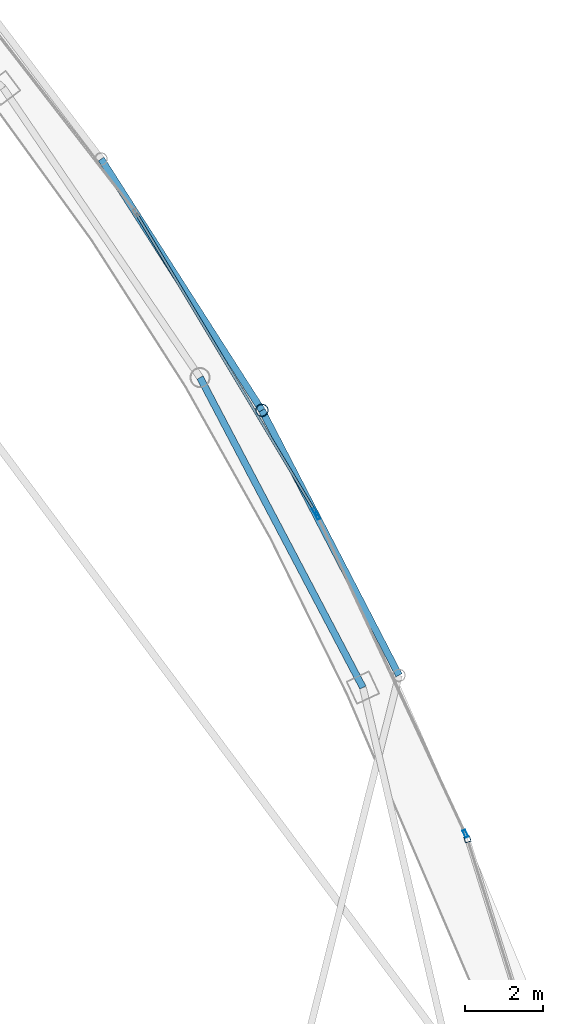
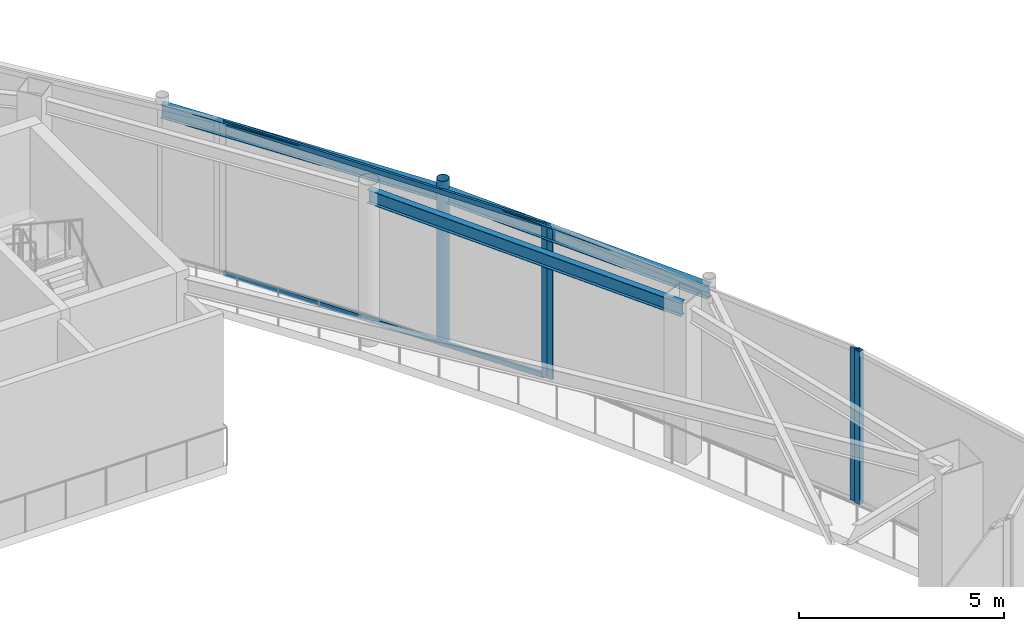
# One storey, part 13 of 19: 7 members, 3 beams, 3 elements without a shape of their own.
"""IFC4 building model written with IfcOpenShell, lengths in metres."""

from ifc_helpers import new_model, si_unit, direction, frame, origin, origin_2d, place, context, subcontext, project, spatial, hollow_rectangle, hollow_circle, i_section, extrude, material, layer, layer_set, material_profile, profile_set, type_object, element, aggregate, save


model = new_model("IFC4")

# Units and contexts
model_context = context("Model", 3, precision=1e-05, world=origin(), true_north=direction((0.0, 1.0)))
body_context = subcontext(model_context, "Body", "Model", "MODEL_VIEW")
ifc_project = project(units=[si_unit("LENGTHUNIT", "METRE"), si_unit("AREAUNIT", "SQUARE_METRE"), si_unit("VOLUMEUNIT", "CUBIC_METRE"), si_unit("PLANEANGLEUNIT", "RADIAN"), si_unit("MASSUNIT", "GRAM", prefix="KILO")], contexts=[model_context])

# Site, building, storey
site_placement = place(None, origin())
site = spatial("IfcSite", under=ifc_project, at=site_placement, CompositionType="ELEMENT")
building_placement = place(site_placement, origin())
building = spatial("IfcBuilding", under=site, at=building_placement, Name="Orvanel Arch Residences", CompositionType="ELEMENT")
storey_placement = place(building_placement, frame((0.0, 0.0, 295.699951171875)))
storey = spatial("IfcBuildingStorey", under=building, at=storey_placement, Name="L83", CompositionType="ELEMENT", Elevation=295.699951171875)

# Curtain wall, member
ifc_material_1 = material(Name="Bronze-anodised aluminium AA6063-T6", Category="aluminium")
ifc_layer = layer(ifc_material_1, 0.2099609375)
ifc_layer_set = layer_set([ifc_layer], Name="Bronze-anodised aluminium AA6063-T6")
curtain_wall_type = type_object("IfcCurtainWallType", Name="CW7-TOP-SYS", PredefinedType="NOTDEFINED", material=ifc_layer_set)
curtain_wall_1_placement = place(storey_placement, origin())
curtain_wall_1 = element("IfcCurtainWall", 1, at=curtain_wall_1_placement, inside=storey, type_object=curtain_wall_type, Name="L83 CW7-TOP-SYS Unitised Curtain Wall", PredefinedType="NOTDEFINED")
ifc_material_profile_1 = material_profile(ifc_material_1, hollow_rectangle(XDim=0.14990234375, YDim=0.14990234375, WallThickness=0.0048828125, at=origin_2d()), Name="ALU150x150x5")
ifc_profile_set_1 = profile_set([ifc_material_profile_1], Name="Bronze-anodised aluminium AA6063-T6")
member_type_1 = type_object("IfcMemberType", Name="MUL-150x150", PredefinedType="MULLION", material=ifc_profile_set_1)
member_1_placement = place(storey_placement, frame((52.330322265625, 15.7294921875, 0.0), z_axis=(0.0, 0.0, 1.0), x_axis=(-0.954283945864, -0.298901573542, 0.0)))
member_1 = element("IfcMember", 2, at=member_1_placement, type_object=member_type_1, Name="CW-S7 mullion 2", PredefinedType="MULLION", context=body_context, shape_type="SweptSolid", body=[
    extrude(hollow_rectangle(XDim=0.14990234375, YDim=0.14990234375, WallThickness=0.0048828125, at=origin_2d()), origin(), (0.0, 0.0, 1.0), 4.550048828125),
])
aggregate(curtain_wall_1, [member_1])

# Curtain wall, members
curtain_wall_2_placement = place(storey_placement, origin())
curtain_wall_2 = element("IfcCurtainWall", 3, at=curtain_wall_2_placement, inside=storey, type_object=curtain_wall_type, Name="L83 CW7-TOP-SYS Unitised Curtain Wall", PredefinedType="NOTDEFINED")
ifc_material_profile_2 = material_profile(ifc_material_1, hollow_rectangle(XDim=0.074951171875, YDim=0.199951171875, WallThickness=0.0048828125, at=origin_2d()), Name="ALU200x75x5")
ifc_profile_set_2 = profile_set([ifc_material_profile_2], Name="Bronze-anodised aluminium AA6063-T6")
member_type_2 = type_object("IfcMemberType", Name="MUL-200x75", PredefinedType="MULLION", material=ifc_profile_set_2)
member_2_placement = place(storey_placement, frame((52.278076171875, 15.8720703125, 0.0), z_axis=(0.0, 0.0, 1.0), x_axis=(-0.906426569511, -0.422363438385, 0.0)))
member_2 = element("IfcMember", 4, at=member_2_placement, type_object=member_type_2, Name="CW-S7 mullion 1", PredefinedType="MULLION", context=body_context, shape_type="SweptSolid", body=[
    extrude(hollow_rectangle(XDim=0.074951171875, YDim=0.199951171875, WallThickness=0.0048828125, at=origin_2d()), origin(), (0.0, 0.0, 1.0), 4.550048828125),
])
member_3_placement = place(storey_placement, frame((48.455810546875, 24.074951171875, 0.0), z_axis=(0.0, 0.0, 1.0), x_axis=(-0.906426569511, -0.422363438385, 0.0)))
member_3 = element("IfcMember", 5, at=member_3_placement, type_object=member_type_2, Name="CW-S7 mullion 2", PredefinedType="MULLION", context=body_context, shape_type="SweptSolid", body=[
    extrude(hollow_rectangle(XDim=0.074951171875, YDim=0.199951171875, WallThickness=0.0048828125, at=origin_2d()), origin(), (0.0, 0.0, 1.0), 4.550048828125),
])
aggregate(curtain_wall_2, [member_2, member_3])

# Curtain wall, member
curtain_wall_3_placement = place(storey_placement, origin())
curtain_wall_3 = element("IfcCurtainWall", 6, at=curtain_wall_3_placement, inside=storey, type_object=curtain_wall_type, Name="L83 CW7-TOP-SYS Unitised Curtain Wall", PredefinedType="NOTDEFINED")
member_4_placement = place(storey_placement, frame((48.402587890625, 24.17626953125, 0.0), z_axis=(0.0, 0.0, 1.0), x_axis=(-0.857522096821, -0.514447133788, 0.0)))
member_4 = element("IfcMember", 7, at=member_4_placement, type_object=member_type_2, Name="CW-S7 mullion 1", PredefinedType="MULLION", context=body_context, shape_type="SweptSolid", body=[
    extrude(hollow_rectangle(XDim=0.074951171875, YDim=0.199951171875, WallThickness=0.0048828125, at=origin_2d()), origin(), (0.0, 0.0, 1.0), 4.550048828125),
])

# Beams
ifc_material_2 = material(Name="Structural steel AS/NZS 3679.1 Grade 300 (300 MPa)", Category="steel")
ifc_material_profile_3 = material_profile(ifc_material_2, i_section(OverallWidth=0.177978515625, OverallDepth=0.406005859375, WebThickness=0.0078125, FlangeThickness=0.0126953125, at=origin_2d()), Name="410UB59.7")
ifc_profile_set_3 = profile_set([ifc_material_profile_3], Name="Structural steel AS/NZS 3679.1 Grade 300 (300 MPa)")
beam_type_1 = type_object("IfcBeamType", Name="OB-410UB", PredefinedType="SPANDREL", material=ifc_profile_set_3)
beam_1_placement = place(storey_placement, frame((49.633056640625, 19.64208984375, 4.34716796875), z_axis=(-0.465064762793, 0.885276660942, 0.0), x_axis=(-0.885276660942, -0.465064762793, 0.0)))
element("IfcBeam", 8, at=beam_1_placement, inside=storey, type_object=beam_type_1, Name="L83 Perimeter Spandrel Beam 07", PredefinedType="SPANDREL", context=body_context, shape_type="SweptSolid", body=[
    extrude(i_section(OverallWidth=0.177978515625, OverallDepth=0.406005859375, WebThickness=0.0078125, FlangeThickness=0.0126953125, at=origin_2d()), origin(), (0.0, 0.0, 1.0), 9.03564453125),
])
ifc_material_profile_4 = material_profile(ifc_material_2, i_section(OverallWidth=0.177978515625, OverallDepth=0.406005859375, WebThickness=0.0078125, FlangeThickness=0.0126953125, at=origin_2d()), Name="410UB59.7")
ifc_profile_set_4 = profile_set([ifc_material_profile_4], Name="Structural steel AS/NZS 3679.1 Grade 300 (300 MPa)")
beam_type_2 = type_object("IfcBeamType", Name="OB-410UB-EXT", PredefinedType="SPANDREL", material=ifc_profile_set_4)
beam_2_placement = place(storey_placement, frame((50.56396484375, 19.9580078125, 4.34716796875), z_axis=(-0.459425507077, 0.888216304425, 0.0), x_axis=(-0.888216304425, -0.459425507077, 0.0)))
element("IfcBeam", 9, at=beam_2_placement, inside=storey, type_object=beam_type_2, Name="L83 Outer Perimeter Floor Ring Beam 09", PredefinedType="SPANDREL", context=body_context, shape_type="SweptSolid", body=[
    extrude(i_section(OverallWidth=0.177978515625, OverallDepth=0.406005859375, WebThickness=0.0078125, FlangeThickness=0.0126953125, at=origin_2d()), origin(), (0.0, 0.0, 1.0), 7.698486328125),
])
beam_3_placement = place(storey_placement, frame((47.027099609375, 26.7958984375, 4.34716796875), z_axis=(-0.538901583392, 0.842368733642, 0.0), x_axis=(-0.842368733642, -0.538901583392, 0.0)))
element("IfcBeam", 10, at=beam_3_placement, inside=storey, type_object=beam_type_2, Name="L83 Outer Perimeter Floor Ring Beam 10", PredefinedType="SPANDREL", context=body_context, shape_type="SweptSolid", body=[
    extrude(i_section(OverallWidth=0.177978515625, OverallDepth=0.406005859375, WebThickness=0.0078125, FlangeThickness=0.0126953125, at=origin_2d()), origin(), (0.0, 0.0, 1.0), 7.697509765625),
])

# Member
ifc_material_3 = material(Name="Structural steel AS/NZS 1163 C350L0 (Grade 350)", Category="steel")
ifc_material_profile_5 = material_profile(ifc_material_3, hollow_circle(Radius=0.162109375, WallThickness=0.0126953125, at=origin_2d()), Name="CHS324x12.7")
ifc_profile_set_5 = profile_set([ifc_material_profile_5], Name="Structural steel AS/NZS 1163 C350L0 (Grade 350)")
member_type_3 = type_object("IfcMemberType", Name="ST-324CHS-EXT", PredefinedType="STRUT", material=ifc_profile_set_5)
member_5_placement = place(storey_placement, frame((47.027099609375, 26.7958984375, 0.0), z_axis=(0.0, 0.0, 1.0), x_axis=(1.0, 0.0, 0.0)))
element("IfcMember", 11, at=member_5_placement, inside=storey, type_object=member_type_3, Name="L83 Outer Perimeter Frame Post 10", PredefinedType="STRUT", context=body_context, shape_type="SweptSolid", body=[
    extrude(hollow_circle(Radius=0.162109375, WallThickness=0.0126953125, at=origin_2d()), origin(), (0.0, 0.0, 1.0), 4.800048828125),
])

ifc_material_profile_6 = material_profile(ifc_material_1, hollow_rectangle(XDim=0.06494140625, YDim=0.14990234375, WallThickness=0.00390625, at=origin_2d()), Name="ALU150x65x4")
ifc_profile_set_6 = profile_set([ifc_material_profile_6], Name="Bronze-anodised aluminium AA6063-T6")
member_type_4 = type_object("IfcMemberType", Name="TRN-150x65", PredefinedType="USERDEFINED", material=ifc_profile_set_6)
member_6_placement = place(storey_placement, frame((48.38330078125, 24.208251953125, 0.032470703125), z_axis=(-0.514447475071, 0.857521892078, 0.0), x_axis=(-0.857521892078, -0.514447475071, 0.0)))
member_6 = element("IfcMember", 12, at=member_6_placement, type_object=member_type_4, Name="CW-S7 transom 1.1", ObjectType="TRANSOM", PredefinedType="USERDEFINED", context=body_context, shape_type="SweptSolid", body=[
    extrude(hollow_rectangle(XDim=0.06494140625, YDim=0.14990234375, WallThickness=0.00390625, at=origin_2d()), origin(), (0.0, 0.0, 1.0), 8.923828125),
])

member_7_placement = place(storey_placement, frame((48.38330078125, 24.208251953125, 4.517578125), z_axis=(-0.514447475071, 0.857521892078, 0.0), x_axis=(-0.857521892078, -0.514447475071, 0.0)))
member_7 = element("IfcMember", 13, at=member_7_placement, type_object=member_type_4, Name="CW-S7 transom 1.2", ObjectType="TRANSOM", PredefinedType="USERDEFINED", context=body_context, shape_type="SweptSolid", body=[
    extrude(hollow_rectangle(XDim=0.06494140625, YDim=0.14990234375, WallThickness=0.00390625, at=origin_2d()), origin(), (0.0, 0.0, 1.0), 8.923828125),
])

aggregate(curtain_wall_3, [member_4, member_6, member_7])

save(model, "model.ifc")
